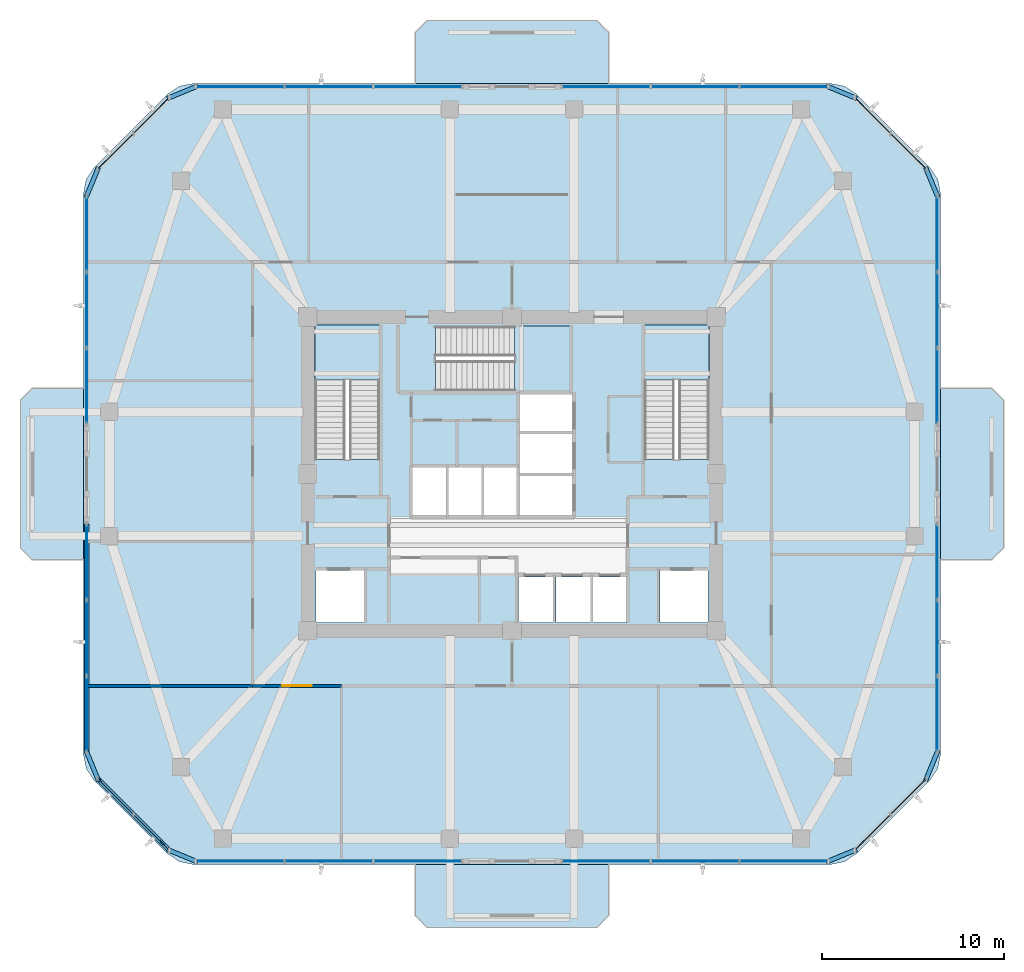
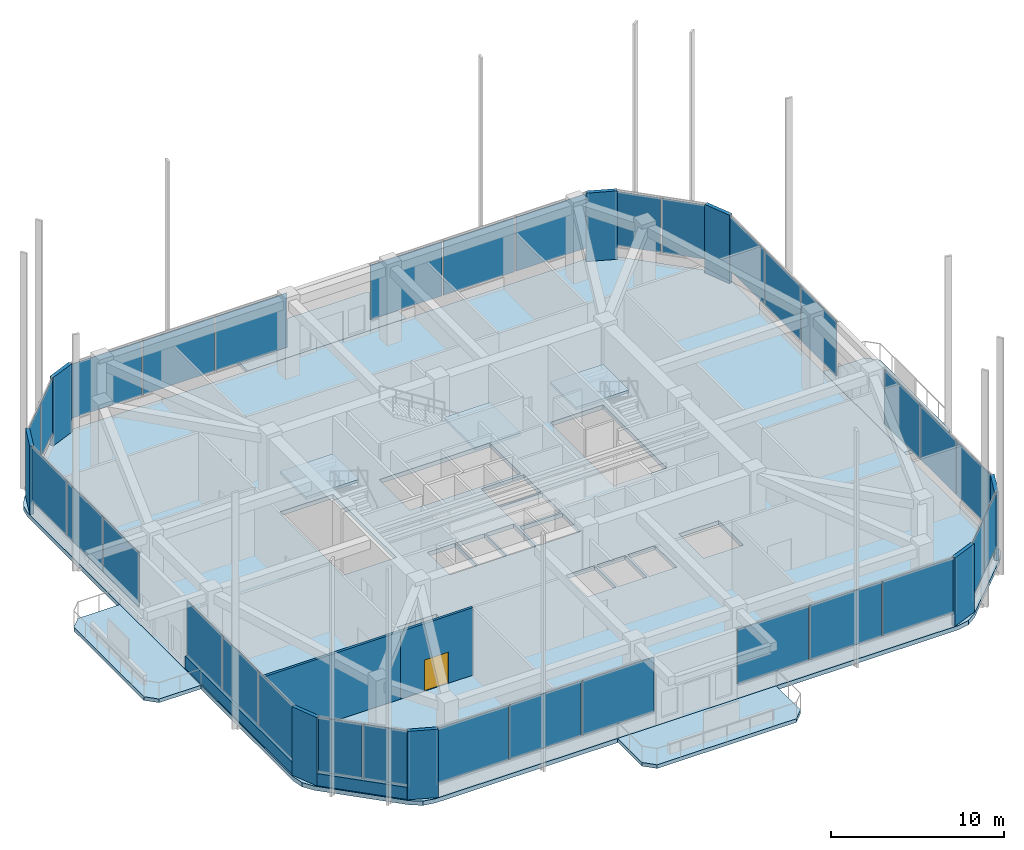
# One storey, part 5 of 12: 40 plates, 8 slabs, 4 walls, 1 door, 1 opening, 15 elements without a shape of their own.
"""IFC4 building model written with IfcOpenShell, lengths in metres."""

from ifc_helpers import new_model, si_unit, derived_unit, direction, frame, frame_2d, origin, origin_2d, place, context, subcontext, project, spatial, polyline, rectangle, outline, extrude, material, layer, layer_set, type_object, element, fill, aggregate, save


model = new_model("IFC4")

# Units and contexts
model_context = context("Model", 3, precision=1e-05, world=origin(), true_north=direction((0.0, 1.0)))
body_context = subcontext(model_context, "Body", "Model", "MODEL_VIEW")
ifc_project = project(units=[si_unit("LENGTHUNIT", "METRE"), si_unit("AREAUNIT", "SQUARE_METRE"), si_unit("VOLUMEUNIT", "CUBIC_METRE"), si_unit("PLANEANGLEUNIT", "RADIAN"), si_unit("MASSUNIT", "GRAM", prefix="KILO"), derived_unit("THERMALTRANSMITTANCEUNIT", [(si_unit("POWERUNIT", "WATT"), 1), (si_unit("LENGTHUNIT", "METRE"), -2), (si_unit("THERMODYNAMICTEMPERATUREUNIT", "KELVIN"), -1)])], contexts=[model_context])

# Site, building, storey
site_placement = place(None, origin())
site = spatial("IfcSite", under=ifc_project, at=site_placement, CompositionType="ELEMENT")
building_placement = place(site_placement, origin())
building = spatial("IfcBuilding", under=site, at=building_placement, Name="Koralith Skygarden Medical Center", CompositionType="ELEMENT")
storey_placement = place(building_placement, frame((0.0, 0.0, 129.06005859375)))
storey = spatial("IfcBuildingStorey", under=building, at=storey_placement, Name="L33", CompositionType="ELEMENT", Elevation=129.06005859375)

# Curtain wall, plates
ifc_material_1 = material(Name="Clear Laminated Glass", Category="glass")
curtain_wall_type = type_object("IfcCurtainWallType", Name="CW-7 Sky-Garden & Pool Conservatory Wall", PredefinedType="NOTDEFINED", material=ifc_material_1)
curtain_wall_1_placement = place(storey_placement, origin())
curtain_wall_1 = element("IfcCurtainWall", 1, at=curtain_wall_1_placement, inside=storey, type_object=curtain_wall_type, Name="Curtain Wall CW-L33-S-L", PredefinedType="NOTDEFINED")
ifc_layer_1 = layer(ifc_material_1, 0.0419921875)
ifc_layer_set_1 = layer_set([ifc_layer_1], Name="Clear Laminated Glass")
plate_type_1 = type_object("IfcPlateType", Name="CW-7 Hurricane Laminated IGU Panel 42", PredefinedType="CURTAIN_PANEL", material=ifc_layer_set_1)
plate_1_placement = place(storey_placement, frame((22.10205078125, 4.679931640625, 0.919921875), z_axis=(0.0, 0.0, 1.0), x_axis=(1.0, 0.0, 0.0)))
plate_1 = element("IfcPlate", 2, at=plate_1_placement, type_object=plate_type_1, Name="CW-L33-S-L Glazed Panel 1", PredefinedType="CURTAIN_PANEL", context=body_context, shape_type="SweptSolid", body=[
    extrude(rectangle(XDim=4.77294921875, YDim=0.0419921875, at=origin_2d()), origin(), (0.0, 0.0, 1.0), 3.840087890625),
])
plate_2_placement = place(storey_placement, frame((26.965087890625, 4.679931640625, 0.919921875), z_axis=(0.0, 0.0, 1.0), x_axis=(1.0, 0.0, 0.0)))
plate_2 = element("IfcPlate", 3, at=plate_2_placement, type_object=plate_type_1, Name="CW-L33-S-L Glazed Panel 2", PredefinedType="CURTAIN_PANEL", context=body_context, shape_type="SweptSolid", body=[
    extrude(rectangle(XDim=4.77294921875, YDim=0.0419921875, at=origin_2d()), origin(), (0.0, 0.0, 1.0), 3.840087890625),
])
plate_3_placement = place(storey_placement, frame((31.827880859375, 4.679931640625, 0.919921875), z_axis=(0.0, 0.0, 1.0), x_axis=(1.0, 0.0, 0.0)))
plate_3 = element("IfcPlate", 4, at=plate_3_placement, type_object=plate_type_1, Name="CW-L33-S-L Glazed Panel 3", PredefinedType="CURTAIN_PANEL", context=body_context, shape_type="SweptSolid", body=[
    extrude(rectangle(XDim=4.77294921875, YDim=0.0419921875, at=origin_2d()), origin(), (0.0, 0.0, 1.0), 3.840087890625),
])
aggregate(curtain_wall_1, [plate_1, plate_2, plate_3])

curtain_wall_2_placement = place(storey_placement, origin())
curtain_wall_2 = element("IfcCurtainWall", 5, at=curtain_wall_2_placement, inside=storey, type_object=curtain_wall_type, Name="Curtain Wall CW-L33-S-R", PredefinedType="NOTDEFINED")
plate_4_placement = place(storey_placement, frame((42.1708984375, 4.679931640625, 0.919921875), z_axis=(0.0, 0.0, 1.0), x_axis=(1.0, 0.0, 0.0)))
plate_4 = element("IfcPlate", 6, at=plate_4_placement, type_object=plate_type_1, Name="CW-L33-S-R Glazed Panel 1", PredefinedType="CURTAIN_PANEL", context=body_context, shape_type="SweptSolid", body=[
    extrude(rectangle(XDim=4.77294921875, YDim=0.0419921875, at=origin_2d()), origin(), (0.0, 0.0, 1.0), 3.840087890625),
])
plate_5_placement = place(storey_placement, frame((47.033935546875, 4.679931640625, 0.919921875), z_axis=(0.0, 0.0, 1.0), x_axis=(1.0, 0.0, 0.0)))
plate_5 = element("IfcPlate", 7, at=plate_5_placement, type_object=plate_type_1, Name="CW-L33-S-R Glazed Panel 2", PredefinedType="CURTAIN_PANEL", context=body_context, shape_type="SweptSolid", body=[
    extrude(rectangle(XDim=4.77294921875, YDim=0.0419921875, at=origin_2d()), origin(), (0.0, 0.0, 1.0), 3.840087890625),
])
plate_6_placement = place(storey_placement, frame((51.89697265625, 4.679931640625, 0.919921875), z_axis=(0.0, 0.0, 1.0), x_axis=(1.0, 0.0, 0.0)))
plate_6 = element("IfcPlate", 8, at=plate_6_placement, type_object=plate_type_1, Name="CW-L33-S-R Glazed Panel 3", PredefinedType="CURTAIN_PANEL", context=body_context, shape_type="SweptSolid", body=[
    extrude(rectangle(XDim=4.77294921875, YDim=0.0419921875, at=origin_2d()), origin(), (0.0, 0.0, 1.0), 3.840087890625),
])
aggregate(curtain_wall_2, [plate_4, plate_5, plate_6])

curtain_wall_3_placement = place(storey_placement, origin())
curtain_wall_3 = element("IfcCurtainWall", 9, at=curtain_wall_3_placement, inside=storey, type_object=curtain_wall_type, Name="Curtain Wall CW-L33-SE", PredefinedType="NOTDEFINED")
plate_7_placement = place(storey_placement, frame((56.760986328125, 6.261962890625, 0.919921875), z_axis=(0.0, 0.0, 1.0), x_axis=(0.707106781187, 0.707106781187, 0.0)))
plate_7 = element("IfcPlate", 10, at=plate_7_placement, type_object=plate_type_1, Name="CW-L33-SE Glazed Panel 1", PredefinedType="CURTAIN_PANEL", context=body_context, shape_type="SweptSolid", body=[
    extrude(rectangle(XDim=2.68408203125, YDim=0.0419921875, at=origin_2d()), origin(), (0.0, 0.0, 1.0), 3.840087890625),
])
plate_8_placement = place(storey_placement, frame((58.721923828125, 8.222900390625, 0.919921875), z_axis=(0.0, 0.0, 1.0), x_axis=(0.707106781187, 0.707106781187, 0.0)))
plate_8 = element("IfcPlate", 11, at=plate_8_placement, type_object=plate_type_1, Name="CW-L33-SE Glazed Panel 2", PredefinedType="CURTAIN_PANEL", context=body_context, shape_type="SweptSolid", body=[
    extrude(rectangle(XDim=2.68408203125, YDim=0.0419921875, at=origin_2d()), origin(), (0.0, 0.0, 1.0), 3.840087890625),
])
aggregate(curtain_wall_3, [plate_7, plate_8])

curtain_wall_4_placement = place(storey_placement, origin())
curtain_wall_4 = element("IfcCurtainWall", 12, at=curtain_wall_4_placement, inside=storey, type_object=curtain_wall_type, Name="Curtain Wall CW-L33-E-L", PredefinedType="NOTDEFINED")
plate_9_placement = place(storey_placement, frame((60.303955078125, 12.739013671875, 0.919921875), z_axis=(0.0, 0.0, 1.0), x_axis=(0.0, 1.0, 0.0)))
plate_9 = element("IfcPlate", 13, at=plate_9_placement, type_object=plate_type_1, Name="CW-L33-E-L Glazed Panel 1", PredefinedType="CURTAIN_PANEL", context=body_context, shape_type="SweptSolid", body=[
    extrude(rectangle(XDim=4.077880859375, YDim=0.0419921875, at=origin_2d()), origin(), (0.0, 0.0, 1.0), 3.840087890625),
])
plate_10_placement = place(storey_placement, frame((60.303955078125, 16.906982421875, 0.919921875), z_axis=(0.0, 0.0, 1.0), x_axis=(0.0, 1.0, 0.0)))
plate_10 = element("IfcPlate", 14, at=plate_10_placement, type_object=plate_type_1, Name="CW-L33-E-L Glazed Panel 2", PredefinedType="CURTAIN_PANEL", context=body_context, shape_type="SweptSolid", body=[
    extrude(rectangle(XDim=4.077880859375, YDim=0.0419921875, at=origin_2d()), origin(), (0.0, 0.0, 1.0), 3.840087890625),
])
plate_11_placement = place(storey_placement, frame((60.303955078125, 21.074951171875, 0.919921875), z_axis=(0.0, 0.0, 1.0), x_axis=(0.0, 1.0, 0.0)))
plate_11 = element("IfcPlate", 15, at=plate_11_placement, type_object=plate_type_1, Name="CW-L33-E-L Glazed Panel 3", PredefinedType="CURTAIN_PANEL", context=body_context, shape_type="SweptSolid", body=[
    extrude(rectangle(XDim=4.077880859375, YDim=0.0419921875, at=origin_2d()), origin(), (0.0, 0.0, 1.0), 3.840087890625),
])
aggregate(curtain_wall_4, [plate_9, plate_10, plate_11])

curtain_wall_5_placement = place(storey_placement, origin())
curtain_wall_5 = element("IfcCurtainWall", 16, at=curtain_wall_5_placement, inside=storey, type_object=curtain_wall_type, Name="Curtain Wall CW-L33-E-R", PredefinedType="NOTDEFINED")
plate_12_placement = place(storey_placement, frame((60.303955078125, 30.722900390625, 0.919921875), z_axis=(0.0, 0.0, 1.0), x_axis=(0.0, 1.0, 0.0)))
plate_12 = element("IfcPlate", 17, at=plate_12_placement, type_object=plate_type_1, Name="CW-L33-E-R Glazed Panel 1", PredefinedType="CURTAIN_PANEL", context=body_context, shape_type="SweptSolid", body=[
    extrude(rectangle(XDim=4.0791015625, YDim=0.0419921875, at=origin_2d()), origin(), (0.0, 0.0, 1.0), 3.840087890625),
])
plate_13_placement = place(storey_placement, frame((60.303955078125, 34.89208984375, 0.919921875), z_axis=(0.0, 0.0, 1.0), x_axis=(0.0, 1.0, 0.0)))
plate_13 = element("IfcPlate", 18, at=plate_13_placement, type_object=plate_type_1, Name="CW-L33-E-R Glazed Panel 2", PredefinedType="CURTAIN_PANEL", context=body_context, shape_type="SweptSolid", body=[
    extrude(rectangle(XDim=4.0791015625, YDim=0.0419921875, at=origin_2d()), origin(), (0.0, 0.0, 1.0), 3.840087890625),
])
plate_14_placement = place(storey_placement, frame((60.303955078125, 39.06103515625, 0.919921875), z_axis=(0.0, 0.0, 1.0), x_axis=(0.0, 1.0, 0.0)))
plate_14 = element("IfcPlate", 19, at=plate_14_placement, type_object=plate_type_1, Name="CW-L33-E-R Glazed Panel 3", PredefinedType="CURTAIN_PANEL", context=body_context, shape_type="SweptSolid", body=[
    extrude(rectangle(XDim=4.0791015625, YDim=0.0419921875, at=origin_2d()), origin(), (0.0, 0.0, 1.0), 3.840087890625),
])
aggregate(curtain_wall_5, [plate_12, plate_13, plate_14])

curtain_wall_6_placement = place(storey_placement, origin())
curtain_wall_6 = element("IfcCurtainWall", 20, at=curtain_wall_6_placement, inside=storey, type_object=curtain_wall_type, Name="Curtain Wall CW-L33-NE", PredefinedType="NOTDEFINED")
plate_15_placement = place(storey_placement, frame((58.721923828125, 43.576904296875, 0.919921875), z_axis=(0.0, 0.0, 1.0), x_axis=(-0.707106781187, 0.707106781187, 0.0)))
plate_15 = element("IfcPlate", 21, at=plate_15_placement, type_object=plate_type_1, Name="CW-L33-NE Glazed Panel 1", PredefinedType="CURTAIN_PANEL", context=body_context, shape_type="SweptSolid", body=[
    extrude(rectangle(XDim=2.68408203125, YDim=0.0419921875, at=origin_2d()), origin(), (0.0, 0.0, 1.0), 3.840087890625),
])
plate_16_placement = place(storey_placement, frame((56.760986328125, 45.5380859375, 0.919921875), z_axis=(0.0, 0.0, 1.0), x_axis=(-0.707106781187, 0.707106781187, 0.0)))
plate_16 = element("IfcPlate", 22, at=plate_16_placement, type_object=plate_type_1, Name="CW-L33-NE Glazed Panel 2", PredefinedType="CURTAIN_PANEL", context=body_context, shape_type="SweptSolid", body=[
    extrude(rectangle(XDim=2.68408203125, YDim=0.0419921875, at=origin_2d()), origin(), (0.0, 0.0, 1.0), 3.840087890625),
])
aggregate(curtain_wall_6, [plate_15, plate_16])

curtain_wall_7_placement = place(storey_placement, origin())
curtain_wall_7 = element("IfcCurtainWall", 23, at=curtain_wall_7_placement, inside=storey, type_object=curtain_wall_type, Name="Curtain Wall CW-L33-N-L", PredefinedType="NOTDEFINED")
plate_17_placement = place(storey_placement, frame((51.89794921875, 47.1201171875, 0.919921875), z_axis=(0.0, 0.0, 1.0), x_axis=(-1.0, 0.0, 0.0)))
plate_17 = element("IfcPlate", 24, at=plate_17_placement, type_object=plate_type_1, Name="CW-L33-N-L Glazed Panel 1", PredefinedType="CURTAIN_PANEL", context=body_context, shape_type="SweptSolid", body=[
    extrude(rectangle(XDim=4.77294921875, YDim=0.0419921875, at=origin_2d()), origin(), (0.0, 0.0, 1.0), 3.840087890625),
])
plate_18_placement = place(storey_placement, frame((47.034912109375, 47.1201171875, 0.919921875), z_axis=(0.0, 0.0, 1.0), x_axis=(-1.0, 0.0, 0.0)))
plate_18 = element("IfcPlate", 25, at=plate_18_placement, type_object=plate_type_1, Name="CW-L33-N-L Glazed Panel 2", PredefinedType="CURTAIN_PANEL", context=body_context, shape_type="SweptSolid", body=[
    extrude(rectangle(XDim=4.77294921875, YDim=0.0419921875, at=origin_2d()), origin(), (0.0, 0.0, 1.0), 3.840087890625),
])
plate_19_placement = place(storey_placement, frame((42.172119140625, 47.1201171875, 0.919921875), z_axis=(0.0, 0.0, 1.0), x_axis=(-1.0, 0.0, 0.0)))
plate_19 = element("IfcPlate", 26, at=plate_19_placement, type_object=plate_type_1, Name="CW-L33-N-L Glazed Panel 3", PredefinedType="CURTAIN_PANEL", context=body_context, shape_type="SweptSolid", body=[
    extrude(rectangle(XDim=4.77294921875, YDim=0.0419921875, at=origin_2d()), origin(), (0.0, 0.0, 1.0), 3.840087890625),
])
aggregate(curtain_wall_7, [plate_17, plate_18, plate_19])

curtain_wall_8_placement = place(storey_placement, origin())
curtain_wall_8 = element("IfcCurtainWall", 27, at=curtain_wall_8_placement, inside=storey, type_object=curtain_wall_type, Name="Curtain Wall CW-L33-N-R", PredefinedType="NOTDEFINED")
plate_20_placement = place(storey_placement, frame((31.8291015625, 47.1201171875, 0.919921875), z_axis=(0.0, 0.0, 1.0), x_axis=(-1.0, 0.0, 0.0)))
plate_20 = element("IfcPlate", 28, at=plate_20_placement, type_object=plate_type_1, Name="CW-L33-N-R Glazed Panel 1", PredefinedType="CURTAIN_PANEL", context=body_context, shape_type="SweptSolid", body=[
    extrude(rectangle(XDim=4.77294921875, YDim=0.0419921875, at=origin_2d()), origin(), (0.0, 0.0, 1.0), 3.840087890625),
])
plate_21_placement = place(storey_placement, frame((26.966064453125, 47.1201171875, 0.919921875), z_axis=(0.0, 0.0, 1.0), x_axis=(-1.0, 0.0, 0.0)))
plate_21 = element("IfcPlate", 29, at=plate_21_placement, type_object=plate_type_1, Name="CW-L33-N-R Glazed Panel 2", PredefinedType="CURTAIN_PANEL", context=body_context, shape_type="SweptSolid", body=[
    extrude(rectangle(XDim=4.77294921875, YDim=0.0419921875, at=origin_2d()), origin(), (0.0, 0.0, 1.0), 3.840087890625),
])
plate_22_placement = place(storey_placement, frame((22.10302734375, 47.1201171875, 0.919921875), z_axis=(0.0, 0.0, 1.0), x_axis=(-1.0, 0.0, 0.0)))
plate_22 = element("IfcPlate", 30, at=plate_22_placement, type_object=plate_type_1, Name="CW-L33-N-R Glazed Panel 3", PredefinedType="CURTAIN_PANEL", context=body_context, shape_type="SweptSolid", body=[
    extrude(rectangle(XDim=4.77294921875, YDim=0.0419921875, at=origin_2d()), origin(), (0.0, 0.0, 1.0), 3.840087890625),
])
aggregate(curtain_wall_8, [plate_20, plate_21, plate_22])

curtain_wall_9_placement = place(storey_placement, origin())
curtain_wall_9 = element("IfcCurtainWall", 31, at=curtain_wall_9_placement, inside=storey, type_object=curtain_wall_type, Name="Curtain Wall CW-L33-NW", PredefinedType="NOTDEFINED")
plate_23_placement = place(storey_placement, frame((17.239013671875, 45.5380859375, 0.919921875), z_axis=(0.0, 0.0, 1.0), x_axis=(-0.707106781187, -0.707106781187, 0.0)))
plate_23 = element("IfcPlate", 32, at=plate_23_placement, type_object=plate_type_1, Name="CW-L33-NW Glazed Panel 1", PredefinedType="CURTAIN_PANEL", context=body_context, shape_type="SweptSolid", body=[
    extrude(rectangle(XDim=2.68408203125, YDim=0.0419921875, at=origin_2d()), origin(), (0.0, 0.0, 1.0), 3.840087890625),
])
plate_24_placement = place(storey_placement, frame((15.278076171875, 43.576904296875, 0.919921875), z_axis=(0.0, 0.0, 1.0), x_axis=(-0.707106781187, -0.707106781187, 0.0)))
plate_24 = element("IfcPlate", 33, at=plate_24_placement, type_object=plate_type_1, Name="CW-L33-NW Glazed Panel 2", PredefinedType="CURTAIN_PANEL", context=body_context, shape_type="SweptSolid", body=[
    extrude(rectangle(XDim=2.68408203125, YDim=0.0419921875, at=origin_2d()), origin(), (0.0, 0.0, 1.0), 3.840087890625),
])
aggregate(curtain_wall_9, [plate_23, plate_24])

curtain_wall_10_placement = place(storey_placement, origin())
curtain_wall_10 = element("IfcCurtainWall", 34, at=curtain_wall_10_placement, inside=storey, type_object=curtain_wall_type, Name="Curtain Wall CW-L33-W-L", PredefinedType="NOTDEFINED")
plate_25_placement = place(storey_placement, frame((13.696044921875, 39.06103515625, 0.919921875), z_axis=(0.0, 0.0, 1.0), x_axis=(0.0, -1.0, 0.0)))
plate_25 = element("IfcPlate", 35, at=plate_25_placement, type_object=plate_type_1, Name="CW-L33-W-L Glazed Panel 1", PredefinedType="CURTAIN_PANEL", context=body_context, shape_type="SweptSolid", body=[
    extrude(rectangle(XDim=4.077880859375, YDim=0.0419921875, at=origin_2d()), origin(), (0.0, 0.0, 1.0), 3.840087890625),
])
plate_26_placement = place(storey_placement, frame((13.696044921875, 34.89306640625, 0.919921875), z_axis=(0.0, 0.0, 1.0), x_axis=(0.0, -1.0, 0.0)))
plate_26 = element("IfcPlate", 36, at=plate_26_placement, type_object=plate_type_1, Name="CW-L33-W-L Glazed Panel 2", PredefinedType="CURTAIN_PANEL", context=body_context, shape_type="SweptSolid", body=[
    extrude(rectangle(XDim=4.077880859375, YDim=0.0419921875, at=origin_2d()), origin(), (0.0, 0.0, 1.0), 3.840087890625),
])
plate_27_placement = place(storey_placement, frame((13.696044921875, 30.72509765625, 0.919921875), z_axis=(0.0, 0.0, 1.0), x_axis=(0.0, -1.0, 0.0)))
plate_27 = element("IfcPlate", 37, at=plate_27_placement, type_object=plate_type_1, Name="CW-L33-W-L Glazed Panel 3", PredefinedType="CURTAIN_PANEL", context=body_context, shape_type="SweptSolid", body=[
    extrude(rectangle(XDim=4.077880859375, YDim=0.0419921875, at=origin_2d()), origin(), (0.0, 0.0, 1.0), 3.840087890625),
])
aggregate(curtain_wall_10, [plate_25, plate_26, plate_27])

curtain_wall_11_placement = place(storey_placement, origin())
curtain_wall_11 = element("IfcCurtainWall", 38, at=curtain_wall_11_placement, inside=storey, type_object=curtain_wall_type, Name="Curtain Wall CW-L33-W-R", PredefinedType="NOTDEFINED")
plate_28_placement = place(storey_placement, frame((13.696044921875, 21.076904296875, 0.919921875), z_axis=(0.0, 0.0, 1.0), x_axis=(0.0, -1.0, 0.0)))
plate_28 = element("IfcPlate", 39, at=plate_28_placement, type_object=plate_type_1, Name="CW-L33-W-R Glazed Panel 1", PredefinedType="CURTAIN_PANEL", context=body_context, shape_type="SweptSolid", body=[
    extrude(rectangle(XDim=4.0791015625, YDim=0.0419921875, at=origin_2d()), origin(), (0.0, 0.0, 1.0), 3.840087890625),
])
plate_29_placement = place(storey_placement, frame((13.696044921875, 16.907958984375, 0.919921875), z_axis=(0.0, 0.0, 1.0), x_axis=(0.0, -1.0, 0.0)))
plate_29 = element("IfcPlate", 40, at=plate_29_placement, type_object=plate_type_1, Name="CW-L33-W-R Glazed Panel 2", PredefinedType="CURTAIN_PANEL", context=body_context, shape_type="SweptSolid", body=[
    extrude(rectangle(XDim=4.0791015625, YDim=0.0419921875, at=origin_2d()), origin(), (0.0, 0.0, 1.0), 3.840087890625),
])
plate_30_placement = place(storey_placement, frame((13.696044921875, 12.739013671875, 0.919921875), z_axis=(0.0, 0.0, 1.0), x_axis=(0.0, -1.0, 0.0)))
plate_30 = element("IfcPlate", 41, at=plate_30_placement, type_object=plate_type_1, Name="CW-L33-W-R Glazed Panel 3", PredefinedType="CURTAIN_PANEL", context=body_context, shape_type="SweptSolid", body=[
    extrude(rectangle(XDim=4.0791015625, YDim=0.0419921875, at=origin_2d()), origin(), (0.0, 0.0, 1.0), 3.840087890625),
])
aggregate(curtain_wall_11, [plate_28, plate_29, plate_30])

curtain_wall_12_placement = place(storey_placement, origin())
curtain_wall_12 = element("IfcCurtainWall", 42, at=curtain_wall_12_placement, inside=storey, type_object=curtain_wall_type, Name="Curtain Wall CW-L33-SW", PredefinedType="NOTDEFINED")
plate_31_placement = place(storey_placement, frame((15.278076171875, 8.222900390625, 0.919921875), z_axis=(0.0, 0.0, 1.0), x_axis=(0.707106781187, -0.707106781187, 0.0)))
plate_31 = element("IfcPlate", 43, at=plate_31_placement, type_object=plate_type_1, Name="CW-L33-SW Glazed Panel 1", PredefinedType="CURTAIN_PANEL", context=body_context, shape_type="SweptSolid", body=[
    extrude(rectangle(XDim=2.68408203125, YDim=0.0419921875, at=origin_2d()), origin(), (0.0, 0.0, 1.0), 3.840087890625),
])
plate_32_placement = place(storey_placement, frame((17.239013671875, 6.261962890625, 0.919921875), z_axis=(0.0, 0.0, 1.0), x_axis=(0.707106781187, -0.707106781187, 0.0)))
plate_32 = element("IfcPlate", 44, at=plate_32_placement, type_object=plate_type_1, Name="CW-L33-SW Glazed Panel 2", PredefinedType="CURTAIN_PANEL", context=body_context, shape_type="SweptSolid", body=[
    extrude(rectangle(XDim=2.68408203125, YDim=0.0419921875, at=origin_2d()), origin(), (0.0, 0.0, 1.0), 3.840087890625),
])
aggregate(curtain_wall_12, [plate_31, plate_32])

# Slabs
ifc_material_2 = material(Name="Concrete C45/55", Category="concrete")
ifc_layer_2 = layer(ifc_material_2, 0.260009765625)
ifc_layer_set_2 = layer_set([ifc_layer_2], Name="Concrete C45/55")
slab_type_1 = type_object("IfcSlabType", Name="Cantilevered Planted Balcony Slab 260", PredefinedType="FLOOR", material=ifc_layer_set_2)
slab_1_placement = place(storey_placement, frame((0.0, 0.0, -0.260009765625)))
element("IfcSlab", 45, at=slab_1_placement, inside=storey, type_object=slab_type_1, Name="L33 N Planted Sky-Garden Balcony Slab", PredefinedType="FLOOR", context=body_context, shape_type="SweptSolid", body=[
    extrude(outline(polyline([(31.699951171875, 47.300048828125), (42.300048828125, 47.300048828125), (42.300048828125, 50.10009765625), (41.64990234375, 50.75), (32.35009765625, 50.75), (31.699951171875, 50.10009765625), (31.699951171875, 47.300048828125)])), origin(), (0.0, 0.0, 1.0), 0.260009765625),
])
slab_2_placement = place(storey_placement, frame((0.0, 0.0, -0.260009765625)))
element("IfcSlab", 46, at=slab_2_placement, inside=storey, type_object=slab_type_1, Name="L33 S Planted Sky-Garden Balcony Slab", PredefinedType="FLOOR", context=body_context, shape_type="SweptSolid", body=[
    extrude(outline(polyline([(32.35009765625, 1.050048828125), (41.64990234375, 1.050048828125), (42.300048828125, 1.699951171875), (42.300048828125, 4.5), (31.699951171875, 4.5), (31.699951171875, 1.699951171875), (32.35009765625, 1.050048828125)])), origin(), (0.0, 0.0, 1.0), 0.260009765625),
])
slab_3_placement = place(storey_placement, frame((0.0, 0.0, -0.260009765625)))
element("IfcSlab", 47, at=slab_3_placement, inside=storey, type_object=slab_type_1, Name="L33 E Planted Sky-Garden Balcony Slab", PredefinedType="FLOOR", context=body_context, shape_type="SweptSolid", body=[
    extrude(outline(polyline([(60.48388671875, 21.199951171875), (63.283935546875, 21.199951171875), (63.93408203125, 21.85009765625), (63.93408203125, 29.949951171875), (63.283935546875, 30.60009765625), (60.48388671875, 30.60009765625), (60.48388671875, 21.199951171875)])), origin(), (0.0, 0.0, 1.0), 0.260009765625),
])
slab_4_placement = place(storey_placement, frame((0.0, 0.0, -0.260009765625)))
element("IfcSlab", 48, at=slab_4_placement, inside=storey, type_object=slab_type_1, Name="L33 W Planted Sky-Garden Balcony Slab", PredefinedType="FLOOR", context=body_context, shape_type="SweptSolid", body=[
    extrude(outline(polyline([(10.716064453125, 21.199951171875), (13.51611328125, 21.199951171875), (13.51611328125, 30.60009765625), (10.716064453125, 30.60009765625), (10.06591796875, 29.949951171875), (10.06591796875, 21.85009765625), (10.716064453125, 21.199951171875)])), origin(), (0.0, 0.0, 1.0), 0.260009765625),
])

# Stair, slab
stair_type = type_object("IfcStairType", Name="Core Exit Dogleg Concrete Stair", PredefinedType="HALF_TURN_STAIR", material=ifc_material_2)
stair_1_placement = place(storey_placement, origin())
stair_1 = element("IfcStair", 49, at=stair_1_placement, inside=storey, type_object=stair_type, Name="L33 Smokeproof Exit Stair ST1", PredefinedType="HALF_TURN_STAIR")
ifc_layer_3 = layer(ifc_material_2, 0.199951171875)
ifc_layer_set_3 = layer_set([ifc_layer_3], Name="Concrete C45/55")
slab_type_2 = type_object("IfcSlabType", Name="Core Exit Concrete Stair Landing 200", PredefinedType="LANDING", material=ifc_layer_set_3)
slab_5_placement = place(storey_placement, frame((0.0, 0.0, 2.679931640625)))
slab_5 = element("IfcSlab", 50, at=slab_5_placement, type_object=slab_type_2, Name="ST1 landing 1", PredefinedType="LANDING", context=body_context, shape_type="SweptSolid", body=[
    extrude(outline(polyline([(29.75, 31.050048828125), (29.75, 34.050048828125), (26.199951171875, 34.050048828125), (26.199951171875, 31.050048828125), (29.75, 31.050048828125)])), origin(), (0.0, 0.0, 1.0), 0.199951171875),
])
aggregate(stair_1, [slab_5])

stair_2_placement = place(storey_placement, origin())
stair_2 = element("IfcStair", 51, at=stair_2_placement, inside=storey, type_object=stair_type, Name="L33 Smokeproof Exit Stair ST2", PredefinedType="HALF_TURN_STAIR")
slab_6_placement = place(storey_placement, frame((0.0, 0.0, 2.679931640625)))
slab_6 = element("IfcSlab", 52, at=slab_6_placement, type_object=slab_type_2, Name="ST2 landing 1", PredefinedType="LANDING", context=body_context, shape_type="SweptSolid", body=[
    extrude(outline(polyline([(47.800048828125, 31.050048828125), (47.800048828125, 34.050048828125), (44.25, 34.050048828125), (44.25, 31.050048828125), (47.800048828125, 31.050048828125)])), origin(), (0.0, 0.0, 1.0), 0.199951171875),
])
aggregate(stair_2, [slab_6])

stair_3_placement = place(storey_placement, origin())
stair_3 = element("IfcStair", 53, at=stair_3_placement, inside=storey, type_object=stair_type, Name="L33 Smokeproof Exit Stair ST3", PredefinedType="HALF_TURN_STAIR")
slab_7_placement = place(storey_placement, frame((0.0, 0.0, 2.679931640625)))
slab_7 = element("IfcSlab", 54, at=slab_7_placement, type_object=slab_type_2, Name="ST3 landing 1", PredefinedType="LANDING", context=body_context, shape_type="SweptSolid", body=[
    extrude(outline(polyline([(37.14990234375, 30.449951171875), (40.199951171875, 30.449951171875), (40.199951171875, 34.0), (37.14990234375, 34.0), (37.14990234375, 30.449951171875)])), origin(), (0.0, 0.0, 1.0), 0.199951171875),
])
aggregate(stair_3, [slab_7])

# Slab
ifc_layer_4 = layer(ifc_material_2, 0.300048828125)
ifc_layer_set_4 = layer_set([ifc_layer_4], Name="Concrete C45/55")
slab_type_3 = type_object("IfcSlabType", Name="Podium & Diagnostic Stiffened Slab 300", PredefinedType="FLOOR", material=ifc_layer_set_4)
slab_8_placement = place(storey_placement, frame((0.0, 0.0, -0.300048828125)))
element("IfcSlab", 55, at=slab_8_placement, inside=storey, type_object=slab_type_3, Name="Level L33 Structural Floor Slab", PredefinedType="FLOOR", context=body_context, shape_type="SweptSolid", body=[
    extrude(outline(polyline([(18.1298828125, 5.0859375), (18.779052734375, 4.652099609375), (19.5439453125, 4.5), (54.4560546875, 4.5), (55.220947265625, 4.652099609375), (55.8701171875, 5.0859375), (59.89794921875, 9.114013671875), (60.33203125, 9.762939453125), (60.48388671875, 10.528076171875), (60.48388671875, 41.27197265625), (60.33203125, 42.037109375), (59.89794921875, 42.68603515625), (55.8701171875, 46.714111328125), (55.220947265625, 47.14794921875), (54.4560546875, 47.300048828125), (19.5439453125, 47.300048828125), (18.779052734375, 47.14794921875), (18.1298828125, 46.714111328125), (14.10205078125, 42.68603515625), (13.66796875, 42.037109375), (13.51611328125, 41.27197265625), (13.51611328125, 10.528076171875), (13.66796875, 9.762939453125), (14.10205078125, 9.114013671875), (18.1298828125, 5.0859375)]), holes=[polyline([(26.199951171875, 26.705078125), (29.75, 26.705078125), (29.75, 34.050048828125), (26.199951171875, 34.050048828125), (26.199951171875, 26.705078125)]), polyline([(44.25, 26.705078125), (47.800048828125, 26.705078125), (47.800048828125, 34.050048828125), (44.25, 34.050048828125), (44.25, 26.705078125)]), polyline([(32.804931640625, 30.449951171875), (40.199951171875, 30.449951171875), (40.199951171875, 34.0), (32.804931640625, 34.0), (32.804931640625, 30.449951171875)]), polyline([(26.25, 17.75), (28.89990234375, 17.75), (28.89990234375, 20.60009765625), (26.25, 20.60009765625), (26.25, 17.75)]), polyline([(45.10009765625, 17.75), (47.75, 17.75), (47.75, 20.60009765625), (45.10009765625, 20.60009765625), (45.10009765625, 17.75)]), polyline([(37.35009765625, 17.75), (39.25, 17.75), (39.25, 20.25), (37.35009765625, 20.25), (37.35009765625, 17.75)]), polyline([(39.39990234375, 17.75), (41.300048828125, 17.75), (41.300048828125, 20.25), (39.39990234375, 20.25), (39.39990234375, 17.75)]), polyline([(41.449951171875, 17.75), (43.300048828125, 17.75), (43.300048828125, 20.25), (41.449951171875, 20.25), (41.449951171875, 17.75)]), polyline([(31.550048828125, 23.64990234375), (33.39990234375, 23.64990234375), (33.39990234375, 26.25), (31.550048828125, 26.25), (31.550048828125, 23.64990234375)]), polyline([(33.5, 23.64990234375), (35.35009765625, 23.64990234375), (35.35009765625, 26.25), (33.5, 26.25), (33.5, 23.64990234375)]), polyline([(35.449951171875, 23.64990234375), (37.300048828125, 23.64990234375), (37.300048828125, 26.25), (35.449951171875, 26.25), (35.449951171875, 23.64990234375)]), polyline([(37.449951171875, 23.64990234375), (40.300048828125, 23.64990234375), (40.300048828125, 25.800048828125), (37.449951171875, 25.800048828125), (37.449951171875, 23.64990234375)]), polyline([(37.449951171875, 25.949951171875), (40.300048828125, 25.949951171875), (40.300048828125, 28.10009765625), (37.449951171875, 28.10009765625), (37.449951171875, 25.949951171875)]), polyline([(37.449951171875, 28.25), (40.300048828125, 28.25), (40.300048828125, 30.25), (37.449951171875, 30.25), (37.449951171875, 28.25)])]), origin(), (0.0, 0.0, 1.0), 0.300048828125),
])

# Plates
ifc_material_3 = material(Name="Warm Oolitic Limestone Cladding", Category="masonry")
ifc_layer_5 = layer(ifc_material_3, 0.239990234375)
ifc_layer_set_5 = layer_set([ifc_layer_5], Name="Warm Oolitic Limestone Cladding")
plate_type_2 = type_object("IfcPlateType", Name="Rounded-Corner Oolitic Limestone Cladding Panel 240", PredefinedType="USERDEFINED", material=ifc_layer_set_5)
for number, where, z_axis, x_axis, name in (
    (56, (55.054931640625, 4.97998046875, 0.0), (0.0, 0.0, 1.0), (0.92388487569, 0.382670532536, 0.0), "L33 Rounded-Corner Limestone Pier 1"),
    (57, (60.00390625, 9.929931640625, 0.0), (0.0, 0.0, 1.0), (0.382670532536, 0.92388487569, 0.0), "L33 Rounded-Corner Limestone Pier 2"),
    (58, (60.00390625, 41.8701171875, 0.0), (0.0, 0.0, 1.0), (-0.382670532536, 0.92388487569, 0.0), "L33 Rounded-Corner Limestone Pier 3"),
    (59, (55.054931640625, 46.819091796875, 0.0), (0.0, 0.0, 1.0), (-0.92388487569, 0.382670532536, 0.0), "L33 Rounded-Corner Limestone Pier 4"),
    (60, (18.945068359375, 46.819091796875, 0.0), (0.0, 0.0, 1.0), (-0.92388487569, -0.382670532536, 0.0), "L33 Rounded-Corner Limestone Pier 5"),
    (61, (13.9970703125, 41.8701171875, 0.0), (0.0, 0.0, 1.0), (-0.382670532536, -0.92388487569, 0.0), "L33 Rounded-Corner Limestone Pier 6"),
    (62, (13.9970703125, 9.929931640625, 0.0), (0.0, 0.0, 1.0), (0.382670532536, -0.92388487569, 0.0), "L33 Rounded-Corner Limestone Pier 7"),
    (63, (18.945068359375, 4.97998046875, 0.0), (0.0, 0.0, 1.0), (0.92388487569, -0.382670532536, 0.0), "L33 Rounded-Corner Limestone Pier 8"),
):
    element("IfcPlate", number, at=place(storey_placement, frame(where, z_axis=z_axis, x_axis=x_axis)), inside=storey, type_object=plate_type_2, Name=name, ObjectType="LIMESTONE CLADDING", PredefinedType="USERDEFINED", context=body_context, shape_type="SweptSolid", body=[
        extrude(rectangle(XDim=1.81103515625, YDim=0.239990234375, at=origin_2d()), origin(), (0.0, 0.0, 1.0), 4.830078125),
    ])

# Wall
ifc_material_4 = material(Name="Gypsum Board Partition")
ifc_layer_6 = layer(ifc_material_4, 0.1650390625)
ifc_layer_set_6 = layer_set([ifc_layer_6], Name="Gypsum Board Partition")
wall_type_1 = type_object("IfcWallType", Name="Clinical Corridor Partition 165", PredefinedType="PARTITIONING", material=ifc_layer_set_6)
wall_1_placement = place(storey_placement, frame((13.716064453125, 14.2900390625, 0.0), z_axis=(0.0, 0.0, 1.0), x_axis=(1.0, 0.0, 0.0)))
element("IfcWall", 64, at=wall_1_placement, inside=storey, type_object=wall_type_1, Name="L33 Clinical Corridor Partition 165 W-WB-L33-SW", PredefinedType="PARTITIONING", context=body_context, shape_type="SweptSolid", body=[
    extrude(rectangle(XDim=9.073974609375, YDim=0.1650390625, at=frame_2d((4.537109375, 0.0))), origin(), (0.0, 0.0, 1.0), 4.77001953125),
])

# Wall, opening, door
wall_2_placement = place(storey_placement, frame((22.7900390625, 14.2900390625, 0.0), z_axis=(0.0, 0.0, 1.0), x_axis=(1.0, 0.0, 0.0)))
wall_2 = element("IfcWall", 65, at=wall_2_placement, inside=storey, type_object=wall_type_1, Name="L33 Clinical Corridor Partition 165 W-AMCOR-L33-S-1", PredefinedType="PARTITIONING", context=body_context, shape_type="SweptSolid", body=[
    extrude(rectangle(XDim=4.85888671875, YDim=0.1650390625, at=frame_2d((2.429443359375, 0.0))), origin(), (0.0, 0.0, 1.0), 4.77001953125),
])
opening_placement = place(wall_2_placement, frame((1.6298828125, 0.0, 0.0)))
opening = element("IfcOpeningElement", 66, at=opening_placement, cuts=wall_2, Name="Opening D-DBL", PredefinedType="OPENING", context=body_context, shape_type="SweptSolid", body=[
    extrude(rectangle(XDim=1.60009765625, YDim=2.199951171875, at=frame_2d((0.800048828125, 1.10009765625))), frame((0.0, 0.092529296875, 0.0), z_axis=(0.0, -1.0, 0.0), x_axis=(1.0, 0.0, 0.0)), (0.0, 0.0, 1.0), 0.18505859375),
])
ifc_material_5 = material(Name="Aluminium 6063-T6", Category="aluminium")
door_type = type_object("IfcDoorType", Name="Double Clinical Suite Door D-DBL 1600", OperationType="NOTDEFINED", PredefinedType="DOOR", material=ifc_material_5)
door_placement = place(opening_placement, frame((1.60009765625, 0.0, 0.0), z_axis=(0.0, 0.0, 1.0), x_axis=(-1.0, 0.0, 0.0)))
door = element("IfcDoor", 67, at=door_placement, inside=storey, type_object=door_type, Name="L33 Cardiopulmonary Rehab Exercise Room Door", OperationType="DOUBLE_DOOR_SINGLE_SWING", OverallHeight=2.199951171875, OverallWidth=1.60009765625, PredefinedType="DOOR", context=body_context, shape_type="SweptSolid", body=[
    extrude(rectangle(XDim=1.60009765625, YDim=2.199951171875, at=frame_2d((0.800048828125, 1.10009765625))), frame((0.0, 0.02490234375, 0.0), z_axis=(0.0, -1.0, 0.0), x_axis=(1.0, 0.0, 0.0)), (0.0, 0.0, 1.0), 0.050048828125),
])
fill(opening, door)

# Walls
ifc_layer_7 = layer(ifc_material_3, 0.239990234375)
ifc_layer_set_7 = layer_set([ifc_layer_7], Name="Warm Oolitic Limestone Cladding")
wall_type_2 = type_object("IfcWallType", Name="Limestone Spandrel Sill Backup Wall 240", PredefinedType="SOLIDWALL", material=ifc_layer_set_7)
wall_3_placement = place(storey_placement, frame((13.696044921875, 23.160888671875, 0.0), z_axis=(0.0, 0.0, 1.0), x_axis=(0.0, -1.0, 0.0)))
element("IfcWall", 68, at=wall_3_placement, inside=storey, type_object=wall_type_2, Name="L33 Sill Spandrel W-R", PredefinedType="SOLIDWALL", context=body_context, shape_type="SweptSolid", body=[
    extrude(rectangle(XDim=12.505859375, YDim=0.239990234375, at=frame_2d((6.2529296875, 0.0))), origin(), (0.0, 0.0, 1.0), 0.849853515625),
])
wall_4_placement = place(storey_placement, frame((14.297119140625, 9.2041015625, 0.0), z_axis=(0.0, 0.0, 1.0), x_axis=(0.707084777957, -0.707128783731, 0.0)))
element("IfcWall", 69, at=wall_4_placement, inside=storey, type_object=wall_type_2, Name="L33 Sill Spandrel SW", PredefinedType="SOLIDWALL", context=body_context, shape_type="SweptSolid", body=[
    extrude(rectangle(XDim=5.5478515625, YDim=0.239990234375, at=frame_2d((2.77392578125, 0.0))), origin(), (0.0, 0.0, 1.0), 0.849853515625),
])

save(model, "model.ifc")
